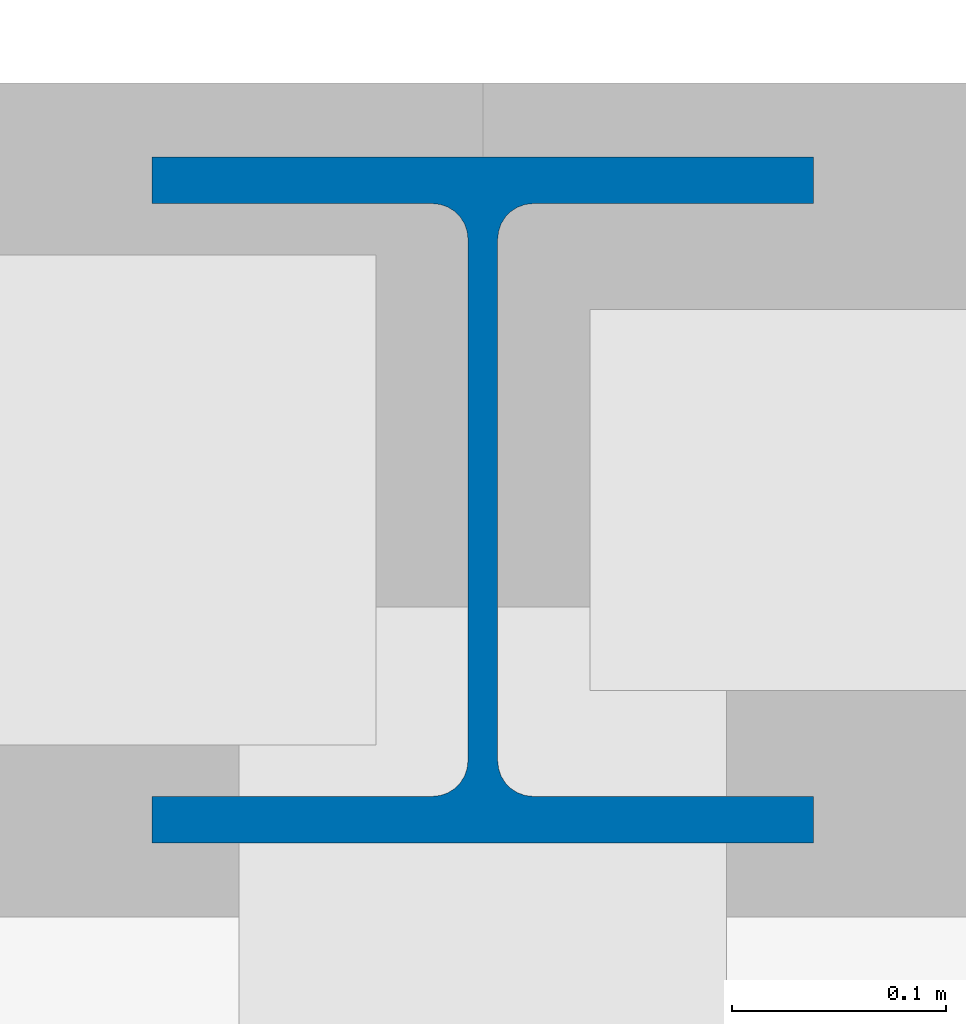
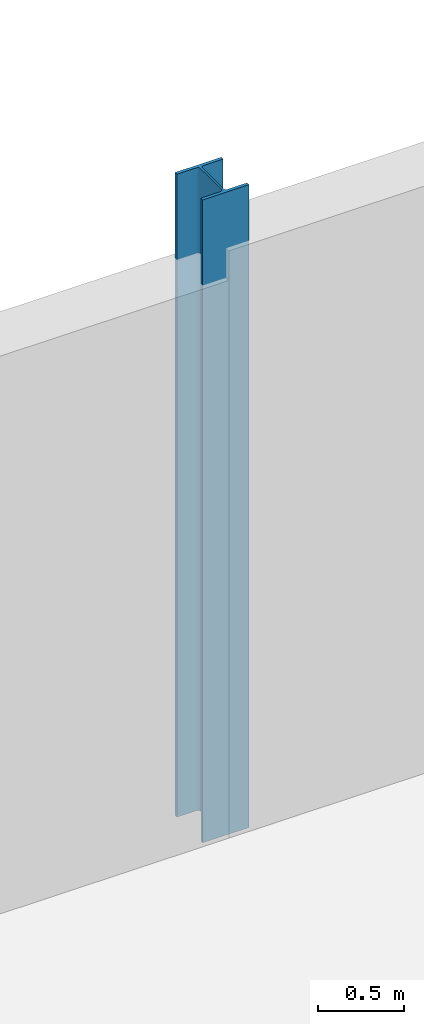
# One storey, part 17 of 93: 1 column.
"""IFC4 building model written with IfcOpenShell, lengths in metres."""

from ifc_helpers import new_model, si_unit, direction, frame, origin, origin_2d, place, context, subcontext, project, spatial, i_section, extrude, material, material_profile, profile_set, type_object, element, save


model = new_model("IFC4")

# Units and contexts
model_context = context("Model", 3, precision=1e-05, world=origin(), true_north=direction((0.0, 1.0)))
body_context = subcontext(model_context, "Body", "Model", "MODEL_VIEW")
ifc_project = project(units=[si_unit("LENGTHUNIT", "METRE"), si_unit("AREAUNIT", "SQUARE_METRE"), si_unit("VOLUMEUNIT", "CUBIC_METRE"), si_unit("PLANEANGLEUNIT", "RADIAN"), si_unit("MASSUNIT", "GRAM", prefix="KILO")], contexts=[model_context])

# Site, building, storey
site_placement = place(None, origin())
site = spatial("IfcSite", under=ifc_project, at=site_placement, CompositionType="ELEMENT")
building_placement = place(site_placement, origin())
building = spatial("IfcBuilding", under=site, at=building_placement, Name="Marnock Terrace Opera House", CompositionType="ELEMENT")
storey_placement = place(building_placement, frame((0.0, 0.0, 5.39990234375)))
storey = spatial("IfcBuildingStorey", under=building, at=storey_placement, Name="L01", CompositionType="ELEMENT", Elevation=5.39990234375)

# Column
ifc_material = material(Name="Steel Grade 350 (AS/NZS 3679.1)", Category="steel")
ifc_material_profile = material_profile(ifc_material, i_section(OverallWidth=0.30908203125, OverallDepth=0.320556640625, WebThickness=0.013916015625, FlangeThickness=0.021728515625, FilletRadius=0.0166015625, at=origin_2d()))
ifc_profile_set = profile_set([ifc_material_profile], Name="Steel Grade 350 (AS/NZS 3679.1)")
column_type = type_object("IfcColumnType", Name="COL-UC310B", PredefinedType="COLUMN", material=ifc_profile_set)
column_placement = place(storey_placement, frame((127.0, 104.0, 0.0), z_axis=(0.0, 0.0, 1.0), x_axis=(1.0, 0.0, 0.0)))
element("IfcColumn", 1, at=column_placement, inside=storey, type_object=column_type, Name="L01 column at (127.0, 104.0)", PredefinedType="COLUMN", context=body_context, shape_type="SweptSolid", body=[
    extrude(i_section(OverallWidth=0.30908203125, OverallDepth=0.320556640625, WebThickness=0.013916015625, FlangeThickness=0.021728515625, FilletRadius=0.0166015625, at=origin_2d()), origin(), (0.0, 0.0, 1.0), 4.5400390625),
])

save(model, "model.ifc")
